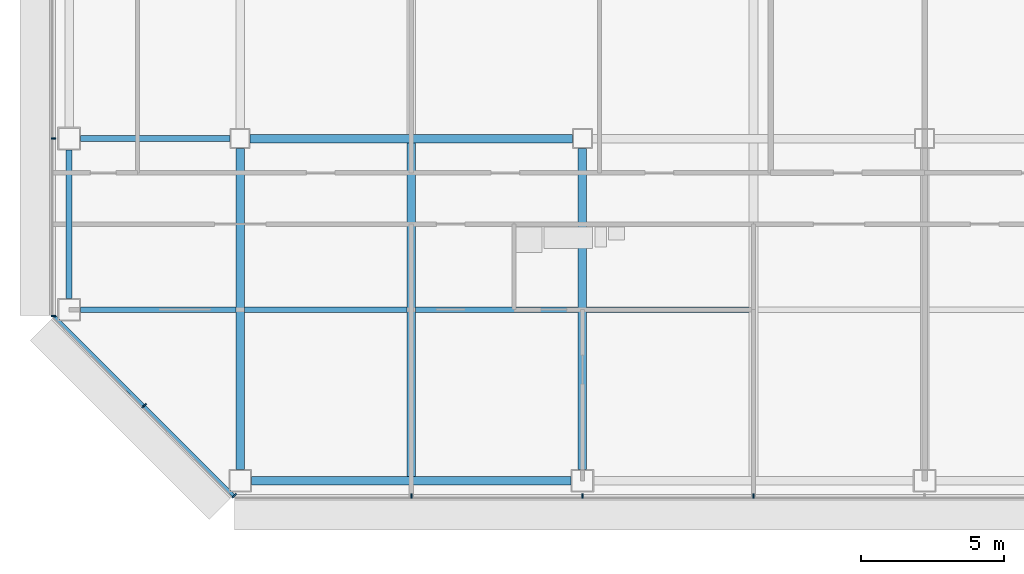
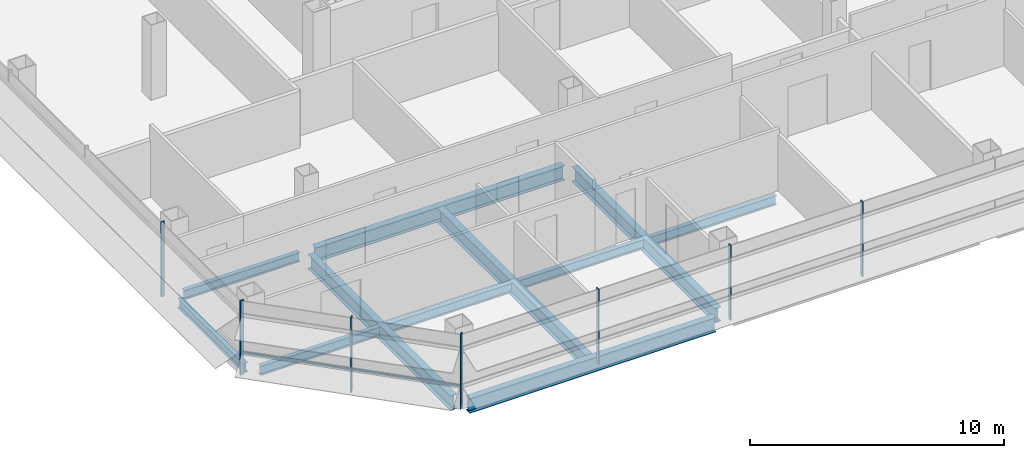
# One storey, part 2 of 25: 11 beams, 8 members, 3 elements without a shape of their own.
"""IFC4 building model written with IfcOpenShell, lengths in metres."""

from ifc_helpers import new_model, si_unit, direction, frame, origin, origin_2d, place, context, subcontext, project, spatial, rectangle, i_section, extrude, material, material_profile, profile_set, type_object, element, aggregate, save


model = new_model("IFC4")

# Units and contexts
model_context = context("Model", 3, precision=1e-05, world=origin(), true_north=direction((0.0, 1.0)))
body_context = subcontext(model_context, "Body", "Model", "MODEL_VIEW")
ifc_project = project(units=[si_unit("LENGTHUNIT", "METRE"), si_unit("AREAUNIT", "SQUARE_METRE"), si_unit("VOLUMEUNIT", "CUBIC_METRE"), si_unit("PLANEANGLEUNIT", "RADIAN"), si_unit("MASSUNIT", "GRAM", prefix="KILO")], contexts=[model_context])

# Site, building, storey
site_placement = place(None, origin())
site = spatial("IfcSite", under=ifc_project, at=site_placement, CompositionType="ELEMENT")
building_placement = place(site_placement, origin())
building = spatial("IfcBuilding", under=site, at=building_placement, Name="Sorahane Residences", CompositionType="ELEMENT")
storey_placement = place(building_placement, frame((0.0, 0.0, 123.199951171875)))
storey = spatial("IfcBuildingStorey", under=building, at=storey_placement, Name="L27", CompositionType="ELEMENT", Elevation=123.199951171875)

# Curtain wall, members
ifc_material_1 = material(Name="Dark low-e glass and black anodised aluminium", Category="aluminium")
curtain_wall_type_1 = type_object("IfcCurtainWallType", Name="Curtain wall CW-1 Typical unitised wall", PredefinedType="NOTDEFINED", material=ifc_material_1)
curtain_wall_1_placement = place(storey_placement, origin())
curtain_wall_1 = element("IfcCurtainWall", 1, at=curtain_wall_1_placement, inside=storey, type_object=curtain_wall_type_1, Name="CW-1 curtain wall L27 S1", PredefinedType="NOTDEFINED")
ifc_material_2 = material(Name="Black anodised aluminium", Category="aluminium")
ifc_material_profile_1 = material_profile(ifc_material_2, rectangle(XDim=0.159912109375, YDim=0.050048828125, at=origin_2d()), Name="Curtain wall mullion CW-1 black anodised aluminium 50x160")
ifc_profile_set_1 = profile_set([ifc_material_profile_1], Name="Black anodised aluminium")
member_type_1 = type_object("IfcMemberType", Name="Curtain wall mullion CW-1 black anodised aluminium 50x160", PredefinedType="MULLION", material=ifc_profile_set_1)
member_1_placement = place(storey_placement, frame((6.0, -0.5400390625, -0.179931640625), z_axis=(0.0, 0.0, 1.0), x_axis=(0.0, -1.0, 0.0)))
member_1 = element("IfcMember", 2, at=member_1_placement, type_object=member_type_1, Name="CW-1 mullion L27 S1.2", PredefinedType="MULLION", context=body_context, shape_type="SweptSolid", body=[
    extrude(rectangle(XDim=0.159912109375, YDim=0.050048828125, at=origin_2d()), origin(), (0.0, 0.0, 1.0), 3.60009765625),
])
member_2_placement = place(storey_placement, frame((12.0, -0.5400390625, -0.179931640625), z_axis=(0.0, 0.0, 1.0), x_axis=(0.0, -1.0, 0.0)))
member_2 = element("IfcMember", 3, at=member_2_placement, type_object=member_type_1, Name="CW-1 mullion L27 S1.3", PredefinedType="MULLION", context=body_context, shape_type="SweptSolid", body=[
    extrude(rectangle(XDim=0.159912109375, YDim=0.050048828125, at=origin_2d()), origin(), (0.0, 0.0, 1.0), 3.60009765625),
])
member_3_placement = place(storey_placement, frame((18.0, -0.5400390625, -0.179931640625), z_axis=(0.0, 0.0, 1.0), x_axis=(0.0, -1.0, 0.0)))
member_3 = element("IfcMember", 4, at=member_3_placement, type_object=member_type_1, Name="CW-1 mullion L27 S1.4", PredefinedType="MULLION", context=body_context, shape_type="SweptSolid", body=[
    extrude(rectangle(XDim=0.159912109375, YDim=0.050048828125, at=origin_2d()), origin(), (0.0, 0.0, 1.0), 3.60009765625),
])
aggregate(curtain_wall_1, [member_1, member_2, member_3])

curtain_wall_2_placement = place(storey_placement, origin())
curtain_wall_2 = element("IfcCurtainWall", 5, at=curtain_wall_2_placement, inside=storey, type_object=curtain_wall_type_1, Name="CW-1 curtain wall L27 W1", PredefinedType="NOTDEFINED")
member_4_placement = place(storey_placement, frame((-6.5400390625, 12.0, -0.179931640625), z_axis=(0.0, 0.0, 1.0), x_axis=(-1.0, 0.0, 0.0)))
member_4 = element("IfcMember", 6, at=member_4_placement, type_object=member_type_1, Name="CW-1 mullion L27 W1.6", PredefinedType="MULLION", context=body_context, shape_type="SweptSolid", body=[
    extrude(rectangle(XDim=0.159912109375, YDim=0.050048828125, at=origin_2d()), origin(), (0.0, 0.0, 1.0), 3.60009765625),
])
member_5_placement = place(storey_placement, frame((-6.5400390625, 5.7763671875, -0.179931640625), z_axis=(0.0, 0.0, 1.0), x_axis=(-1.0, 0.0, 0.0)))
member_5 = element("IfcMember", 7, at=member_5_placement, type_object=member_type_1, Name="CW-1 mullion L27 W1.7", PredefinedType="MULLION", context=body_context, shape_type="SweptSolid", body=[
    extrude(rectangle(XDim=0.159912109375, YDim=0.050048828125, at=origin_2d()), origin(), (0.0, 0.0, 1.0), 3.60009765625),
])
aggregate(curtain_wall_2, [member_4, member_5])

ifc_material_3 = material(Name="Dark low-e glass and black anodised aluminium", Category="aluminium")
curtain_wall_type_2 = type_object("IfcCurtainWallType", Name="Curtain wall CW-2 Chamfer unitised wall", PredefinedType="NOTDEFINED", material=ifc_material_3)
curtain_wall_3_placement = place(storey_placement, origin())
curtain_wall_3 = element("IfcCurtainWall", 8, at=curtain_wall_3_placement, inside=storey, type_object=curtain_wall_type_2, Name="CW-2 curtain wall L27 SW1", PredefinedType="NOTDEFINED")
ifc_material_4 = material(Name="Black anodised aluminium", Category="aluminium")
ifc_material_profile_2 = material_profile(ifc_material_4, rectangle(XDim=0.199951171875, YDim=0.050048828125, at=origin_2d()), Name="Curtain wall mullion CW-2 black anodised aluminium 50x200")
ifc_profile_set_2 = profile_set([ifc_material_profile_2], Name="Black anodised aluminium")
member_type_2 = type_object("IfcMemberType", Name="Curtain wall mullion CW-2 black anodised aluminium 50x200", PredefinedType="MULLION", material=ifc_profile_set_2)
member_6_placement = place(storey_placement, frame((-3.36767578125, 2.63232421875, -0.179931640625), z_axis=(0.0, 0.0, 1.0), x_axis=(-0.707106781187, -0.707106781187, 0.0)))
member_6 = element("IfcMember", 9, at=member_6_placement, type_object=member_type_2, Name="CW-2 mullion L27 SW1.2", PredefinedType="MULLION", context=body_context, shape_type="SweptSolid", body=[
    extrude(rectangle(XDim=0.199951171875, YDim=0.050048828125, at=origin_2d()), origin(), (0.0, 0.0, 1.0), 3.60009765625),
])
member_7_placement = place(storey_placement, frame((-0.209716796875, -0.525634765625, -0.179931640625), z_axis=(0.0, 0.0, 1.0), x_axis=(-0.707106781187, -0.707106781187, 0.0)))
member_7 = element("IfcMember", 10, at=member_7_placement, type_object=member_type_2, Name="CW-2 mullion L27 SW1.3", PredefinedType="MULLION", context=body_context, shape_type="SweptSolid", body=[
    extrude(rectangle(XDim=0.199951171875, YDim=0.050048828125, at=origin_2d()), origin(), (0.0, 0.0, 1.0), 3.60009765625),
])
ifc_material_5 = material(Name="Black anodised aluminium", Category="aluminium")
ifc_material_profile_3 = material_profile(ifc_material_5, rectangle(XDim=0.10009765625, YDim=0.06005859375, at=origin_2d()), Name="Curtain wall transom CW-2 black anodised aluminium 60x100")
ifc_profile_set_3 = profile_set([ifc_material_profile_3], Name="Black anodised aluminium")
member_type_3 = type_object("IfcMemberType", Name="Curtain wall transom CW-2 black anodised aluminium 60x100", PredefinedType="USERDEFINED", material=ifc_profile_set_3)
member_8_placement = place(storey_placement, frame((-6.51513671875, 5.765625, 0.900146484375), z_axis=(0.707106781187, -0.707106781187, 0.0), x_axis=(0.707106781187, 0.707106781187, 0.0)))
member_8 = element("IfcMember", 11, at=member_8_placement, type_object=member_type_3, Name="CW-2 transom L27 SW1", ObjectType="TRANSOM", PredefinedType="USERDEFINED", context=body_context, shape_type="SweptSolid", body=[
    extrude(rectangle(XDim=0.10009765625, YDim=0.06005859375, at=origin_2d()), origin(), (0.0, 0.0, 1.0), 8.88232421875),
])
aggregate(curtain_wall_3, [member_6, member_7, member_8])

# Beams
ifc_material_6 = material(Name="Steel Q355B", Category="steel")
ifc_material_profile_4 = material_profile(ifc_material_6, i_section(OverallWidth=0.199951171875, OverallDepth=0.449951171875, WebThickness=0.009033203125, FlangeThickness=0.013916015625, FilletRadius=0.02001953125, at=origin_2d()), Name="HN 450x200x9x14")
ifc_profile_set_4 = profile_set([ifc_material_profile_4], Name="Steel Q355B")
beam_type_1 = type_object("IfcBeamType", Name="Steel floor beam HN 450x200x9x14 Q355B", PredefinedType="BEAM", material=ifc_profile_set_4)
beam_1_placement = place(storey_placement, frame((-5.60009765625, 12.0, -0.405029296875), z_axis=(1.0, 0.0, 0.0), x_axis=(0.0, 1.0, 0.0)))
element("IfcBeam", 12, at=beam_1_placement, inside=storey, type_object=beam_type_1, Name="Beam L27 005", PredefinedType="BEAM", context=body_context, shape_type="SweptSolid", body=[
    extrude(i_section(OverallWidth=0.199951171875, OverallDepth=0.449951171875, WebThickness=0.009033203125, FlangeThickness=0.013916015625, FilletRadius=0.02001953125, at=origin_2d()), origin(), (0.0, 0.0, 1.0), 5.25),
])
beam_2_placement = place(storey_placement, frame((-6.0, 6.39990234375, -0.405029296875), z_axis=(0.0, 1.0, 0.0), x_axis=(-1.0, 0.0, 0.0)))
element("IfcBeam", 13, at=beam_2_placement, inside=storey, type_object=beam_type_1, Name="Beam L27 020", PredefinedType="BEAM", context=body_context, shape_type="SweptSolid", body=[
    extrude(i_section(OverallWidth=0.199951171875, OverallDepth=0.449951171875, WebThickness=0.009033203125, FlangeThickness=0.013916015625, FilletRadius=0.02001953125, at=origin_2d()), origin(), (0.0, 0.0, 1.0), 5.2001953125),
])
beam_3_placement = place(storey_placement, frame((-5.60009765625, 6.0, -0.405029296875), z_axis=(1.0, 0.0, 0.0), x_axis=(0.0, 1.0, 0.0)))
element("IfcBeam", 14, at=beam_3_placement, inside=storey, type_object=beam_type_1, Name="Beam L27 068", PredefinedType="BEAM", context=body_context, shape_type="SweptSolid", body=[
    extrude(i_section(OverallWidth=0.199951171875, OverallDepth=0.449951171875, WebThickness=0.009033203125, FlangeThickness=0.013916015625, FilletRadius=0.02001953125, at=origin_2d()), origin(), (0.0, 0.0, 1.0), 5.4501953125),
])
for number, where, z_axis, x_axis, name in (
    (15, (0.14990234375, 6.0, -0.405029296875), (1.0, 0.0, 0.0), (0.0, 1.0, 0.0), "Beam L27 069"),
    (16, (6.14990234375, 6.0, -0.405029296875), (1.0, 0.0, 0.0), (0.0, 1.0, 0.0), "Beam L27 070"),
    (17, (12.14990234375, 6.0, -0.405029296875), (1.0, 0.0, 0.0), (0.0, 1.0, 0.0), "Beam L27 071"),
):
    element("IfcBeam", number, at=place(storey_placement, frame(where, z_axis=z_axis, x_axis=x_axis)), inside=storey, type_object=beam_type_1, Name=name, PredefinedType="BEAM", context=body_context, shape_type="SweptSolid", body=[
        extrude(i_section(OverallWidth=0.199951171875, OverallDepth=0.449951171875, WebThickness=0.009033203125, FlangeThickness=0.013916015625, FilletRadius=0.02001953125, at=origin_2d()), origin(), (0.0, 0.0, 1.0), 5.7001953125),
    ])
ifc_material_7 = material(Name="Steel Q355B", Category="steel")
ifc_material_profile_5 = material_profile(ifc_material_7, i_section(OverallWidth=0.300048828125, OverallDepth=0.699951171875, WebThickness=0.012939453125, FlangeThickness=0.02392578125, FilletRadius=0.028076171875, at=origin_2d()), Name="HN 700x300x13x24")
ifc_profile_set_5 = profile_set([ifc_material_profile_5], Name="Steel Q355B")
beam_type_2 = type_object("IfcBeamType", Name="Steel floor beam HN 700x300x13x24 Q355B", PredefinedType="BEAM", material=ifc_profile_set_5)
beam_4_placement = place(storey_placement, frame((0.39990234375, 0.0, -0.530029296875), z_axis=(1.0, 0.0, 0.0), x_axis=(0.0, 1.0, 0.0)))
element("IfcBeam", 18, at=beam_4_placement, inside=storey, type_object=beam_type_2, Name="Beam L27 000", PredefinedType="BEAM", context=body_context, shape_type="SweptSolid", body=[
    extrude(i_section(OverallWidth=0.300048828125, OverallDepth=0.699951171875, WebThickness=0.012939453125, FlangeThickness=0.02392578125, FilletRadius=0.028076171875, at=origin_2d()), origin(), (0.0, 0.0, 1.0), 11.2001953125),
])
beam_5_placement = place(storey_placement, frame((0.35009765625, 12.0, -0.530029296875), z_axis=(1.0, 0.0, 0.0), x_axis=(0.0, 1.0, 0.0)))
element("IfcBeam", 19, at=beam_5_placement, inside=storey, type_object=beam_type_2, Name="Beam L27 006", PredefinedType="BEAM", context=body_context, shape_type="SweptSolid", body=[
    extrude(i_section(OverallWidth=0.300048828125, OverallDepth=0.699951171875, WebThickness=0.012939453125, FlangeThickness=0.02392578125, FilletRadius=0.028076171875, at=origin_2d()), origin(), (0.0, 0.0, 1.0), 11.2998046875),
])
beam_6_placement = place(storey_placement, frame((0.0, 0.39990234375, -0.530029296875), z_axis=(0.0, 1.0, 0.0), x_axis=(-1.0, 0.0, 0.0)))
element("IfcBeam", 20, at=beam_6_placement, inside=storey, type_object=beam_type_2, Name="Beam L27 024", PredefinedType="BEAM", context=body_context, shape_type="SweptSolid", body=[
    extrude(i_section(OverallWidth=0.300048828125, OverallDepth=0.699951171875, WebThickness=0.012939453125, FlangeThickness=0.02392578125, FilletRadius=0.028076171875, at=origin_2d()), origin(), (0.0, 0.0, 1.0), 11.25),
])
beam_7_placement = place(storey_placement, frame((6.0, 0.14990234375, -0.530029296875), z_axis=(0.0, 1.0, 0.0), x_axis=(-1.0, 0.0, 0.0)))
element("IfcBeam", 21, at=beam_7_placement, inside=storey, type_object=beam_type_2, Name="Beam L27 028", PredefinedType="BEAM", context=body_context, shape_type="SweptSolid", body=[
    extrude(i_section(OverallWidth=0.300048828125, OverallDepth=0.699951171875, WebThickness=0.012939453125, FlangeThickness=0.02392578125, FilletRadius=0.028076171875, at=origin_2d()), origin(), (0.0, 0.0, 1.0), 11.7001953125),
])
beam_8_placement = place(storey_placement, frame((12.0, 0.39990234375, -0.530029296875), z_axis=(0.0, 1.0, 0.0), x_axis=(-1.0, 0.0, 0.0)))
element("IfcBeam", 22, at=beam_8_placement, inside=storey, type_object=beam_type_2, Name="Beam L27 034", PredefinedType="BEAM", context=body_context, shape_type="SweptSolid", body=[
    extrude(i_section(OverallWidth=0.300048828125, OverallDepth=0.699951171875, WebThickness=0.012939453125, FlangeThickness=0.02392578125, FilletRadius=0.028076171875, at=origin_2d()), origin(), (0.0, 0.0, 1.0), 11.25),
])

save(model, "model.ifc")
